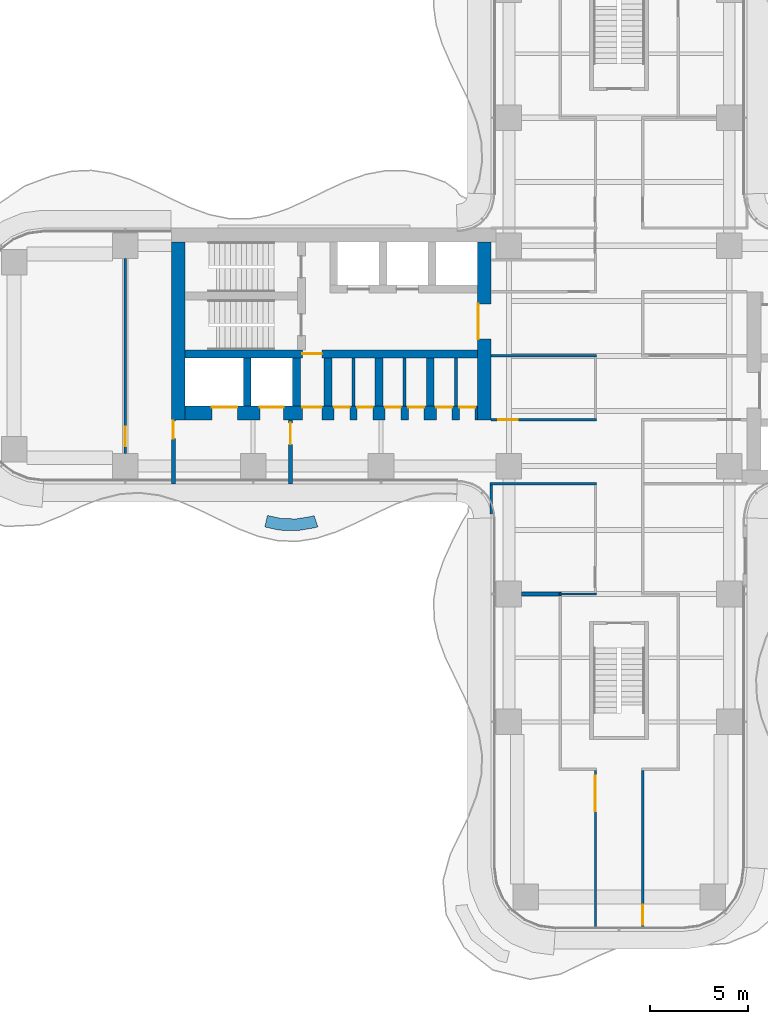
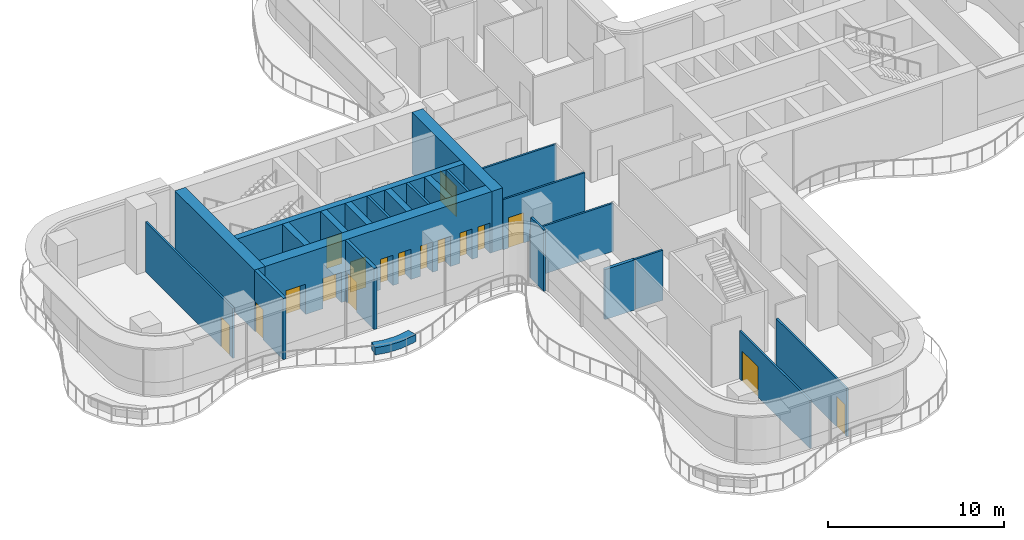
# One storey, part 18 of 23: 24 walls, 17 doors, 17 openings.
"""IFC4 building model written with IfcOpenShell, lengths in metres."""

from ifc_helpers import new_model, si_unit, direction, frame, frame_2d, origin, place, context, subcontext, project, spatial, polyline, rectangle, outline, extrude, source, transform, mapped, material, layer, layer_set, type_object, element, fill, save


model = new_model("IFC4")

# Units and contexts
model_context = context("Model", 3, precision=1e-05, world=origin(), true_north=direction((0.0, 1.0)))
body_context = subcontext(model_context, "Body", "Model", "MODEL_VIEW")
ifc_project = project(units=[si_unit("LENGTHUNIT", "METRE"), si_unit("AREAUNIT", "SQUARE_METRE"), si_unit("VOLUMEUNIT", "CUBIC_METRE"), si_unit("PLANEANGLEUNIT", "RADIAN"), si_unit("MASSUNIT", "GRAM", prefix="KILO")], contexts=[model_context])

# Site, building, storey
site_placement = place(None, origin())
site = spatial("IfcSite", under=ifc_project, at=site_placement, CompositionType="ELEMENT")
building_placement = place(site_placement, origin())
building = spatial("IfcBuilding", under=site, at=building_placement, Name="Trellis Farm Tower", CompositionType="ELEMENT")
storey_placement = place(building_placement, frame((0.0, 0.0, 111.0)))
storey = spatial("IfcBuildingStorey", under=building, at=storey_placement, Name="L23", CompositionType="ELEMENT", Elevation=111.0)

# Wall
ifc_material_1 = material(Name="Sandstone faced masonry planter", Category="masonry")
ifc_layer_1 = layer(ifc_material_1, 0.60009765625)
ifc_layer_set_1 = layer_set([ifc_layer_1], Name="PLANTER BED 600")
wall_type_1 = type_object("IfcWallType", Name="PLANTER BED 600", PredefinedType="USERDEFINED", material=ifc_layer_set_1)
wall_1_placement = place(storey_placement, origin())
element("IfcWall", 1, at=wall_1_placement, inside=storey, type_object=wall_type_1, Name="PLANTER bed", ObjectType="PLANTER", PredefinedType="USERDEFINED", context=body_context, shape_type="SweptSolid", body=[
    extrude(outline(polyline([(-16.373291015625, -8.885498046875), (-17.268310546875, -8.856689453125), (-18.005126953125, -8.69287109375), (-17.875, -8.107177734375), (-17.19287109375, -8.2587890625), (-16.412109375, -8.283935546875), (-15.616455078125, -8.15478515625), (-15.4970703125, -8.115234375), (-15.30859375, -8.684814453125), (-15.473388671875, -8.7392578125), (-16.373291015625, -8.885498046875)])), origin(), (0.0, 0.0, 1.0), 0.5),
])

# Wall, opening, door
ifc_material_2 = material(Name="Concrete C70/85", Category="concrete")
ifc_layer_2 = layer(ifc_material_2, 0.699951171875)
ifc_layer_set_2 = layer_set([ifc_layer_2], Name="CORE OUTER WALL 700 CONCRETE C70/85")
wall_type_2 = type_object("IfcWallType", Name="CORE OUTER WALL 700 CONCRETE C70/85", PredefinedType="SHEAR", material=ifc_layer_set_2)
shared_shape_1 = source(origin(), body_context, "Body", "SweptSolid", [
    extrude(rectangle(XDim=9.050048828125, YDim=0.699951171875, at=frame_2d((4.52490234375, 0.0))), origin(), (0.0, 0.0, 1.0), 4.25),
])
wall_2_placement = place(storey_placement, frame((-6.85009765625, 5.800048828125, 0.0), z_axis=(0.0, 0.0, 1.0), x_axis=(0.0, -1.0, 0.0)))
wall_2 = element("IfcWall", 2, at=wall_2_placement, inside=storey, type_object=wall_type_2, Name="Core wall", PredefinedType="SHEAR", context=body_context, shape_type="MappedRepresentation", body=[
    mapped(shared_shape_1, transform((0.0, 0.0, 0.0))),
])
shared_shape_2 = source(origin(), body_context, "Body", "SweptSolid", [
    extrude(rectangle(XDim=1.800048828125, YDim=2.10009765625, at=frame_2d((0.89990234375, 1.050048828125))), frame((0.0, 0.360107421875, 0.0), z_axis=(0.0, -1.0, 0.0), x_axis=(1.0, 0.0, 0.0)), (0.0, 0.0, 1.0), 0.72021484375),
])
opening_1_placement = place(wall_2_placement, frame((3.14990234375, 0.0, 0.0)))
opening_1 = element("IfcOpeningElement", 3, at=opening_1_placement, cuts=wall_2, Name="Opening DC87", PredefinedType="OPENING", context=body_context, shape_type="MappedRepresentation", body=[
    mapped(shared_shape_2, transform((0.0, 0.0, 0.0))),
])
ifc_material_3 = material(Name="Steel", Category="steel")
door_type_1 = type_object("IfcDoorType", Name="CORE FIRE DOOR DOUBLE 1800 X 2100", OperationType="DOUBLE_DOOR_SINGLE_SWING", PredefinedType="DOOR", material=ifc_material_3)
shared_shape_3 = source(origin(), body_context, "Body", "SweptSolid", [
    extrude(rectangle(XDim=1.800048828125, YDim=2.10009765625, at=frame_2d((0.89990234375, 1.050048828125))), frame((0.0, -0.27490234375, 0.0), z_axis=(0.0, -1.0, 0.0), x_axis=(1.0, 0.0, 0.0)), (0.0, 0.0, 1.0), 0.050048828125),
])
door_1_placement = place(opening_1_placement, origin())
door_1 = element("IfcDoor", 4, at=door_1_placement, inside=storey, type_object=door_type_1, Name="Core door", OperationType="DOUBLE_DOOR_SINGLE_SWING", OverallHeight=2.10009765625, OverallWidth=1.800048828125, PredefinedType="DOOR", context=body_context, shape_type="MappedRepresentation", body=[
    mapped(shared_shape_3, transform((0.0, 0.0, 0.0))),
])
fill(opening_1, door_1)

# Walls
wall_3_placement = place(storey_placement, frame((-22.39990234375, 5.800048828125, 0.0), z_axis=(0.0, 0.0, 1.0), x_axis=(0.0, -1.0, 0.0)))
element("IfcWall", 5, at=wall_3_placement, inside=storey, type_object=wall_type_2, Name="Core wall", PredefinedType="SHEAR", context=body_context, shape_type="MappedRepresentation", body=[
    mapped(shared_shape_1, transform((0.0, 0.0, 0.0))),
])
ifc_layer_3 = layer(ifc_material_2, 0.39990234375)
ifc_layer_set_3 = layer_set([ifc_layer_3], Name="CORE INNER WALL 400 CONCRETE C70/85")
wall_type_3 = type_object("IfcWallType", Name="CORE INNER WALL 400 CONCRETE C70/85", PredefinedType="SHEAR", material=ifc_layer_set_3)
shared_shape_4 = source(origin(), body_context, "Body", "SweptSolid", [
    extrude(rectangle(XDim=2.449951171875, YDim=0.39990234375, at=frame_2d((1.22509765625, 0.0))), origin(), (0.0, 0.0, 1.0), 4.25),
])
for number, where, z_axis, x_axis, name in (
    (6, (-9.60009765625, -0.10009765625, 0.0), (0.0, 0.0, 1.0), (0.0, -1.0, 0.0), "Core wall"),
    (7, (-12.199951171875, -0.10009765625, 0.0), (0.0, 0.0, 1.0), (0.0, -1.0, 0.0), "Core wall"),
    (8, (-14.800048828125, -0.10009765625, 0.0), (0.0, 0.0, 1.0), (0.0, -1.0, 0.0), "Core wall"),
    (9, (-16.39990234375, -0.10009765625, 0.0), (0.0, 0.0, 1.0), (0.0, -1.0, 0.0), "Core wall"),
    (10, (-18.89990234375, -0.10009765625, 0.0), (0.0, 0.0, 1.0), (0.0, -1.0, 0.0), "Core wall"),
):
    element("IfcWall", number, at=place(storey_placement, frame(where, z_axis=z_axis, x_axis=x_axis)), inside=storey, type_object=wall_type_3, Name=name, PredefinedType="SHEAR", context=body_context, shape_type="MappedRepresentation", body=[
        mapped(shared_shape_4, transform((0.0, 0.0, 0.0))),
    ])

# Wall, opening, door
ifc_material_4 = material(Name="Masonry blockwork", Category="masonry")
ifc_layer_4 = layer(ifc_material_4, 0.199951171875)
ifc_layer_set_4 = layer_set([ifc_layer_4], Name="FIRE LOBBY PARTITION 200 BLOCKWORK")
wall_type_4 = type_object("IfcWallType", Name="FIRE LOBBY PARTITION 200 BLOCKWORK", PredefinedType="PARTITIONING", material=ifc_layer_set_4)
shared_shape_5 = source(origin(), body_context, "Body", "SweptSolid", [
    extrude(rectangle(XDim=3.25, YDim=0.199951171875, at=frame_2d((1.625, 0.0))), origin(), (0.0, 0.0, 1.0), 4.25),
])
wall_4_placement = place(storey_placement, frame((-16.699951171875, -3.25, 0.0), z_axis=(0.0, 0.0, 1.0), x_axis=(0.0, -1.0, 0.0)))
wall_4 = element("IfcWall", 11, at=wall_4_placement, inside=storey, type_object=wall_type_4, Name="Fire-fighting lobby partition", PredefinedType="PARTITIONING", context=body_context, shape_type="MappedRepresentation", body=[
    mapped(shared_shape_5, transform((0.0, 0.0, 0.0))),
])
shared_shape_6 = source(origin(), body_context, "Body", "SweptSolid", [
    extrude(rectangle(XDim=1.10009765625, YDim=2.10009765625, at=frame_2d((0.550048828125, 1.050048828125))), frame((0.0, 0.110107421875, 0.0), z_axis=(0.0, -1.0, 0.0), x_axis=(1.0, 0.0, 0.0)), (0.0, 0.0, 1.0), 0.22021484375),
])
opening_2_placement = place(wall_4_placement, frame((0.14990234375, 0.0, 0.0)))
opening_2 = element("IfcOpeningElement", 12, at=opening_2_placement, cuts=wall_4, Name="Opening DC93", PredefinedType="OPENING", context=body_context, shape_type="MappedRepresentation", body=[
    mapped(shared_shape_6, transform((0.0, 0.0, 0.0))),
])
door_type_2 = type_object("IfcDoorType", Name="CORE FIRE DOOR 1100 X 2100", OperationType="NOTDEFINED", PredefinedType="DOOR", material=ifc_material_3)
shared_shape_7 = source(origin(), body_context, "Body", "SweptSolid", [
    extrude(rectangle(XDim=1.10009765625, YDim=2.10009765625, at=frame_2d((0.550048828125, 1.050048828125))), frame((0.0, 0.02490234375, 0.0), z_axis=(0.0, -1.0, 0.0), x_axis=(1.0, 0.0, 0.0)), (0.0, 0.0, 1.0), 0.050048828125),
])
door_2_placement = place(opening_2_placement, origin())
door_2 = element("IfcDoor", 13, at=door_2_placement, inside=storey, type_object=door_type_2, Name="Core door", OperationType="SINGLE_SWING_RIGHT", OverallHeight=2.10009765625, OverallWidth=1.10009765625, PredefinedType="DOOR", context=body_context, shape_type="MappedRepresentation", body=[
    mapped(shared_shape_7, transform((0.0, 0.0, 0.0))),
])
fill(opening_2, door_2)

wall_5_placement = place(storey_placement, frame((-22.64990234375, -3.25, 0.0), z_axis=(0.0, 0.0, 1.0), x_axis=(0.0, -1.0, 0.0)))
wall_5 = element("IfcWall", 14, at=wall_5_placement, inside=storey, type_object=wall_type_4, Name="Fire-fighting lobby partition", PredefinedType="PARTITIONING", context=body_context, shape_type="MappedRepresentation", body=[
    mapped(shared_shape_5, transform((0.0, 0.0, 0.0))),
])
shared_shape_8 = source(origin(), body_context, "Body", "SweptSolid", [
    extrude(rectangle(XDim=0.89990234375, YDim=2.10009765625, at=frame_2d((0.449951171875, 1.050048828125))), frame((0.0, 0.110107421875, 0.0), z_axis=(0.0, -1.0, 0.0), x_axis=(1.0, 0.0, 0.0)), (0.0, 0.0, 1.0), 0.22021484375),
])
opening_3_placement = place(wall_5_placement, frame((0.050048828125, 0.0, 0.0)))
opening_3 = element("IfcOpeningElement", 15, at=opening_3_placement, cuts=wall_5, Name="Opening DC94", PredefinedType="OPENING", context=body_context, shape_type="MappedRepresentation", body=[
    mapped(shared_shape_8, transform((0.0, 0.0, 0.0))),
])
door_type_3 = type_object("IfcDoorType", Name="CORE FIRE DOOR 900 X 2100", OperationType="NOTDEFINED", PredefinedType="DOOR", material=ifc_material_3)
shared_shape_9 = source(origin(), body_context, "Body", "SweptSolid", [
    extrude(rectangle(XDim=0.89990234375, YDim=2.10009765625, at=frame_2d((0.449951171875, 1.050048828125))), frame((0.0, 0.02490234375, 0.0), z_axis=(0.0, -1.0, 0.0), x_axis=(1.0, 0.0, 0.0)), (0.0, 0.0, 1.0), 0.050048828125),
])
door_3_placement = place(opening_3_placement, origin())
door_3 = element("IfcDoor", 16, at=door_3_placement, inside=storey, type_object=door_type_3, Name="Core door", OperationType="SINGLE_SWING_RIGHT", OverallHeight=2.10009765625, OverallWidth=0.89990234375, PredefinedType="DOOR", context=body_context, shape_type="MappedRepresentation", body=[
    mapped(shared_shape_9, transform((0.0, 0.0, 0.0))),
])
fill(opening_3, door_3)

# Wall, openings, doors
shared_shape_10 = source(origin(), body_context, "Body", "SweptSolid", [
    extrude(rectangle(XDim=14.85009765625, YDim=0.699951171875, at=frame_2d((7.425048828125, 0.0))), origin(), (0.0, 0.0, 1.0), 4.25),
])
wall_6_placement = place(storey_placement, frame((-7.199951171875, -2.89990234375, 0.0), z_axis=(0.0, 0.0, 1.0), x_axis=(-1.0, 0.0, 0.0)))
wall_6 = element("IfcWall", 17, at=wall_6_placement, inside=storey, type_object=wall_type_2, Name="Core wall", PredefinedType="SHEAR", context=body_context, shape_type="MappedRepresentation", body=[
    mapped(shared_shape_10, transform((0.0, 0.0, 0.0))),
])
shared_shape_11 = source(origin(), body_context, "Body", "SweptSolid", [
    extrude(rectangle(XDim=1.300048828125, YDim=2.10009765625, at=frame_2d((0.64990234375, 1.050048828125))), frame((0.0, 0.360107421875, 0.0), z_axis=(0.0, -1.0, 0.0), x_axis=(1.0, 0.0, 0.0)), (0.0, 0.0, 1.0), 0.72021484375),
])
opening_4_placement = place(wall_6_placement, frame((12.199951171875, 0.0, 0.0)))
opening_4 = element("IfcOpeningElement", 18, at=opening_4_placement, cuts=wall_6, Name="Opening LD15", PredefinedType="OPENING", context=body_context, shape_type="MappedRepresentation", body=[
    mapped(shared_shape_11, transform((0.0, 0.0, 0.0))),
])
shared_shape_12 = source(origin(), body_context, "Body", "SweptSolid", [
    extrude(rectangle(XDim=1.199951171875, YDim=2.10009765625, at=frame_2d((0.60009765625, 1.050048828125))), frame((0.0, 0.360107421875, 0.0), z_axis=(0.0, -1.0, 0.0), x_axis=(1.0, 0.0, 0.0)), (0.0, 0.0, 1.0), 0.72021484375),
])
opening_5_placement = place(wall_6_placement, frame((9.85009765625, 0.0, 0.0)))
opening_5 = element("IfcOpeningElement", 19, at=opening_5_placement, cuts=wall_6, Name="Opening LD16", PredefinedType="OPENING", context=body_context, shape_type="MappedRepresentation", body=[
    mapped(shared_shape_12, transform((0.0, 0.0, 0.0))),
])
shared_shape_13 = source(origin(), body_context, "Body", "SweptSolid", [
    extrude(rectangle(XDim=1.0, YDim=2.10009765625, at=frame_2d((0.5, 1.050048828125))), frame((0.0, 0.360107421875, 0.0), z_axis=(0.0, -1.0, 0.0), x_axis=(1.0, 0.0, 0.0)), (0.0, 0.0, 1.0), 0.72021484375),
])
opening_6_placement = place(wall_6_placement, frame((7.89990234375, 0.0, 0.0)))
opening_6 = element("IfcOpeningElement", 20, at=opening_6_placement, cuts=wall_6, Name="Opening DC92", PredefinedType="OPENING", context=body_context, shape_type="MappedRepresentation", body=[
    mapped(shared_shape_13, transform((0.0, 0.0, 0.0))),
])
shared_shape_14 = source(origin(), body_context, "Body", "SweptSolid", [
    extrude(rectangle(XDim=0.800048828125, YDim=2.10009765625, at=frame_2d((0.39990234375, 1.050048828125))), frame((0.0, 0.360107421875, 0.0), z_axis=(0.0, -1.0, 0.0), x_axis=(1.0, 0.0, 0.0)), (0.0, 0.0, 1.0), 0.72021484375),
])
opening_7_placement = place(wall_6_placement, frame((0.112548828125, 0.0, 0.0)))
opening_7 = element("IfcOpeningElement", 21, at=opening_7_placement, cuts=wall_6, Name="Opening DC95", PredefinedType="OPENING", context=body_context, shape_type="MappedRepresentation", body=[
    mapped(shared_shape_14, transform((0.0, 0.0, 0.0))),
])
opening_8_placement = place(wall_6_placement, frame((1.28759765625, 0.0, 0.0)))
opening_8 = element("IfcOpeningElement", 22, at=opening_8_placement, cuts=wall_6, Name="Opening DC102", PredefinedType="OPENING", context=body_context, shape_type="MappedRepresentation", body=[
    mapped(shared_shape_14, transform((0.0, 0.0, 0.0))),
])
opening_9_placement = place(wall_6_placement, frame((2.71240234375, 0.0, 0.0)))
opening_9 = element("IfcOpeningElement", 23, at=opening_9_placement, cuts=wall_6, Name="Opening DC107", PredefinedType="OPENING", context=body_context, shape_type="MappedRepresentation", body=[
    mapped(shared_shape_14, transform((0.0, 0.0, 0.0))),
])
opening_10_placement = place(wall_6_placement, frame((3.887451171875, 0.0, 0.0)))
opening_10 = element("IfcOpeningElement", 24, at=opening_10_placement, cuts=wall_6, Name="Opening DC114", PredefinedType="OPENING", context=body_context, shape_type="MappedRepresentation", body=[
    mapped(shared_shape_14, transform((0.0, 0.0, 0.0))),
])
opening_11_placement = place(wall_6_placement, frame((5.3125, 0.0, 0.0)))
opening_11 = element("IfcOpeningElement", 25, at=opening_11_placement, cuts=wall_6, Name="Opening DC119", PredefinedType="OPENING", context=body_context, shape_type="MappedRepresentation", body=[
    mapped(shared_shape_14, transform((0.0, 0.0, 0.0))),
])
opening_12_placement = place(wall_6_placement, frame((6.487548828125, 0.0, 0.0)))
opening_12 = element("IfcOpeningElement", 26, at=opening_12_placement, cuts=wall_6, Name="Opening DC126", PredefinedType="OPENING", context=body_context, shape_type="MappedRepresentation", body=[
    mapped(shared_shape_14, transform((0.0, 0.0, 0.0))),
])
door_type_4 = type_object("IfcDoorType", Name="CORE FIRE DOOR 1000 X 2100", OperationType="NOTDEFINED", PredefinedType="DOOR", material=ifc_material_3)
shared_shape_15 = source(origin(), body_context, "Body", "SweptSolid", [
    extrude(rectangle(XDim=1.0, YDim=2.10009765625, at=frame_2d((0.5, 1.050048828125))), frame((0.0, -0.27490234375, 0.0), z_axis=(0.0, -1.0, 0.0), x_axis=(1.0, 0.0, 0.0)), (0.0, 0.0, 1.0), 0.050048828125),
])
door_4_placement = place(opening_6_placement, origin())
door_4 = element("IfcDoor", 27, at=door_4_placement, inside=storey, type_object=door_type_4, Name="Core door", OperationType="SINGLE_SWING_LEFT", OverallHeight=2.10009765625, OverallWidth=1.0, PredefinedType="DOOR", context=body_context, shape_type="MappedRepresentation", body=[
    mapped(shared_shape_15, transform((0.0, 0.0, 0.0))),
])
fill(opening_6, door_4)
ifc_material_5 = material(Name="Stainless steel", Category="steel")
door_type_5 = type_object("IfcDoorType", Name="LIFT LANDING DOOR 1300 X 2100", OperationType="DOUBLE_DOOR_SLIDING", PredefinedType="DOOR", material=ifc_material_5)
shared_shape_16 = source(origin(), body_context, "Body", "SweptSolid", [
    extrude(rectangle(XDim=1.300048828125, YDim=2.10009765625, at=frame_2d((0.64990234375, 1.050048828125))), frame((0.0, -0.27490234375, 0.0), z_axis=(0.0, -1.0, 0.0), x_axis=(1.0, 0.0, 0.0)), (0.0, 0.0, 1.0), 0.050048828125),
])
door_5_placement = place(opening_4_placement, origin())
door_5 = element("IfcDoor", 28, at=door_5_placement, inside=storey, type_object=door_type_5, Name="Lift landing door", OperationType="DOUBLE_DOOR_SLIDING", OverallHeight=2.10009765625, OverallWidth=1.300048828125, PredefinedType="DOOR", context=body_context, shape_type="MappedRepresentation", body=[
    mapped(shared_shape_16, transform((0.0, 0.0, 0.0))),
])
fill(opening_4, door_5)
door_type_6 = type_object("IfcDoorType", Name="LIFT LANDING DOOR 1200 X 2100", OperationType="DOUBLE_DOOR_SLIDING", PredefinedType="DOOR", material=ifc_material_5)
shared_shape_17 = source(origin(), body_context, "Body", "SweptSolid", [
    extrude(rectangle(XDim=1.199951171875, YDim=2.10009765625, at=frame_2d((0.60009765625, 1.050048828125))), frame((0.0, -0.27490234375, 0.0), z_axis=(0.0, -1.0, 0.0), x_axis=(1.0, 0.0, 0.0)), (0.0, 0.0, 1.0), 0.050048828125),
])
door_6_placement = place(opening_5_placement, origin())
door_6 = element("IfcDoor", 29, at=door_6_placement, inside=storey, type_object=door_type_6, Name="Lift landing door", OperationType="DOUBLE_DOOR_SLIDING", OverallHeight=2.10009765625, OverallWidth=1.199951171875, PredefinedType="DOOR", context=body_context, shape_type="MappedRepresentation", body=[
    mapped(shared_shape_17, transform((0.0, 0.0, 0.0))),
])
fill(opening_5, door_6)
door_type_7 = type_object("IfcDoorType", Name="CORE FIRE DOOR 800 X 2100", OperationType="NOTDEFINED", PredefinedType="DOOR", material=ifc_material_3)
shared_shape_18 = source(origin(), body_context, "Body", "SweptSolid", [
    extrude(rectangle(XDim=0.800048828125, YDim=2.10009765625, at=frame_2d((0.39990234375, 1.050048828125))), frame((0.0, -0.27490234375, 0.0), z_axis=(0.0, -1.0, 0.0), x_axis=(1.0, 0.0, 0.0)), (0.0, 0.0, 1.0), 0.050048828125),
])
door_7_placement = place(opening_7_placement, origin())
door_7 = element("IfcDoor", 30, at=door_7_placement, inside=storey, type_object=door_type_7, Name="Core door", OperationType="SINGLE_SWING_LEFT", OverallHeight=2.10009765625, OverallWidth=0.800048828125, PredefinedType="DOOR", context=body_context, shape_type="MappedRepresentation", body=[
    mapped(shared_shape_18, transform((0.0, 0.0, 0.0))),
])
fill(opening_7, door_7)
door_8_placement = place(opening_8_placement, origin())
door_8 = element("IfcDoor", 31, at=door_8_placement, inside=storey, type_object=door_type_7, Name="Core door", OperationType="SINGLE_SWING_RIGHT", OverallHeight=2.10009765625, OverallWidth=0.800048828125, PredefinedType="DOOR", context=body_context, shape_type="MappedRepresentation", body=[
    mapped(shared_shape_18, transform((0.0, 0.0, 0.0))),
])
fill(opening_8, door_8)
door_9_placement = place(opening_9_placement, origin())
door_9 = element("IfcDoor", 32, at=door_9_placement, inside=storey, type_object=door_type_7, Name="Core door", OperationType="SINGLE_SWING_LEFT", OverallHeight=2.10009765625, OverallWidth=0.800048828125, PredefinedType="DOOR", context=body_context, shape_type="MappedRepresentation", body=[
    mapped(shared_shape_18, transform((0.0, 0.0, 0.0))),
])
fill(opening_9, door_9)
door_10_placement = place(opening_10_placement, origin())
door_10 = element("IfcDoor", 33, at=door_10_placement, inside=storey, type_object=door_type_7, Name="Core door", OperationType="SINGLE_SWING_RIGHT", OverallHeight=2.10009765625, OverallWidth=0.800048828125, PredefinedType="DOOR", context=body_context, shape_type="MappedRepresentation", body=[
    mapped(shared_shape_18, transform((0.0, 0.0, 0.0))),
])
fill(opening_10, door_10)
door_11_placement = place(opening_11_placement, origin())
door_11 = element("IfcDoor", 34, at=door_11_placement, inside=storey, type_object=door_type_7, Name="Core door", OperationType="SINGLE_SWING_LEFT", OverallHeight=2.10009765625, OverallWidth=0.800048828125, PredefinedType="DOOR", context=body_context, shape_type="MappedRepresentation", body=[
    mapped(shared_shape_18, transform((0.0, 0.0, 0.0))),
])
fill(opening_11, door_11)
door_12_placement = place(opening_12_placement, origin())
door_12 = element("IfcDoor", 35, at=door_12_placement, inside=storey, type_object=door_type_7, Name="Core door", OperationType="SINGLE_SWING_RIGHT", OverallHeight=2.10009765625, OverallWidth=0.800048828125, PredefinedType="DOOR", context=body_context, shape_type="MappedRepresentation", body=[
    mapped(shared_shape_18, transform((0.0, 0.0, 0.0))),
])
fill(opening_12, door_12)

# Wall, opening, door
shared_shape_19 = source(origin(), body_context, "Body", "SweptSolid", [
    extrude(rectangle(XDim=14.85009765625, YDim=0.39990234375, at=frame_2d((7.425048828125, 0.0))), origin(), (0.0, 0.0, 1.0), 4.25),
])
wall_7_placement = place(storey_placement, frame((-7.199951171875, 0.10009765625, 0.0), z_axis=(0.0, 0.0, 1.0), x_axis=(-1.0, 0.0, 0.0)))
wall_7 = element("IfcWall", 36, at=wall_7_placement, inside=storey, type_object=wall_type_3, Name="Core wall", PredefinedType="SHEAR", context=body_context, shape_type="MappedRepresentation", body=[
    mapped(shared_shape_19, transform((0.0, 0.0, 0.0))),
])
shared_shape_20 = source(origin(), body_context, "Body", "SweptSolid", [
    extrude(rectangle(XDim=1.0, YDim=2.10009765625, at=frame_2d((0.5, 1.050048828125))), frame((0.0, 0.2099609375, 0.0), z_axis=(0.0, -1.0, 0.0), x_axis=(1.0, 0.0, 0.0)), (0.0, 0.0, 1.0), 0.419921875),
])
opening_13_placement = place(wall_7_placement, frame((7.89990234375, 0.0, 0.0)))
opening_13 = element("IfcOpeningElement", 37, at=opening_13_placement, cuts=wall_7, Name="Opening DC91", PredefinedType="OPENING", context=body_context, shape_type="MappedRepresentation", body=[
    mapped(shared_shape_20, transform((0.0, 0.0, 0.0))),
])
shared_shape_21 = source(origin(), body_context, "Body", "SweptSolid", [
    extrude(rectangle(XDim=1.0, YDim=2.10009765625, at=frame_2d((0.5, 1.050048828125))), frame((0.0, 0.02490234375, 0.0), z_axis=(0.0, -1.0, 0.0), x_axis=(1.0, 0.0, 0.0)), (0.0, 0.0, 1.0), 0.050048828125),
])
door_13_placement = place(opening_13_placement, origin())
door_13 = element("IfcDoor", 38, at=door_13_placement, inside=storey, type_object=door_type_4, Name="Core door", OperationType="SINGLE_SWING_RIGHT", OverallHeight=2.10009765625, OverallWidth=1.0, PredefinedType="DOOR", context=body_context, shape_type="MappedRepresentation", body=[
    mapped(shared_shape_21, transform((0.0, 0.0, 0.0))),
])
fill(opening_13, door_13)

# Walls
ifc_layer_5 = layer(ifc_material_4, 0.14990234375)
ifc_layer_set_5 = layer_set([ifc_layer_5], Name="CORE PARTITION 150 BLOCKWORK")
wall_type_5 = type_object("IfcWallType", Name="CORE PARTITION 150 BLOCKWORK", PredefinedType="PARTITIONING", material=ifc_layer_set_5)
shared_shape_22 = source(origin(), body_context, "Body", "SweptSolid", [
    extrude(rectangle(XDim=2.449951171875, YDim=0.14990234375, at=frame_2d((1.22509765625, 0.0))), origin(), (0.0, 0.0, 1.0), 4.25),
])
for number, where, z_axis, x_axis, name in (
    (39, (-8.300048828125, -0.10009765625, 0.0), (0.0, 0.0, 1.0), (0.0, -1.0, 0.0), "Core room partition"),
    (40, (-10.89990234375, -0.10009765625, 0.0), (0.0, 0.0, 1.0), (0.0, -1.0, 0.0), "Core room partition"),
    (41, (-13.5, -0.10009765625, 0.0), (0.0, 0.0, 1.0), (0.0, -1.0, 0.0), "Core room partition"),
):
    element("IfcWall", number, at=place(storey_placement, frame(where, z_axis=z_axis, x_axis=x_axis)), inside=storey, type_object=wall_type_5, Name=name, PredefinedType="PARTITIONING", context=body_context, shape_type="MappedRepresentation", body=[
        mapped(shared_shape_22, transform((0.0, 0.0, 0.0))),
    ])
ifc_material_6 = material(Name="Plasterboard on steel studs, mineral wool", Category="steel")
ifc_layer_6 = layer(ifc_material_6, 0.125)
ifc_layer_set_6 = layer_set([ifc_layer_6], Name="PARTITION 125 STUD EI 60")
wall_type_6 = type_object("IfcWallType", Name="PARTITION 125 STUD EI 60", PredefinedType="PARTITIONING", material=ifc_layer_set_6)
shared_shape_23 = source(origin(), body_context, "Body", "SweptSolid", [
    extrude(rectangle(XDim=1.468994140625, YDim=0.125, at=frame_2d((0.734375, 0.0))), origin(), (0.0, 0.0, 1.0), 4.25),
])
wall_8_placement = place(storey_placement, frame((-6.5, -6.5625, 0.0), z_axis=(0.0, 0.0, 1.0), x_axis=(0.0, -1.0, 0.0)))
element("IfcWall", 42, at=wall_8_placement, inside=storey, type_object=wall_type_6, Name="Partition PW1", PredefinedType="PARTITIONING", context=body_context, shape_type="MappedRepresentation", body=[
    mapped(shared_shape_23, transform((0.0, 0.0, 0.0))),
])
shared_shape_24 = source(origin(), body_context, "Body", "SweptSolid", [
    extrude(rectangle(XDim=1.925048828125, YDim=0.125, at=frame_2d((0.96240234375, 0.0))), origin(), (0.0, 0.0, 1.0), 3.4677734375),
])
wall_9_placement = place(storey_placement, frame((-3.0625, -12.10009765625, 0.0), z_axis=(0.0, 0.0, 1.0), x_axis=(1.0, 0.0, 0.0)))
element("IfcWall", 43, at=wall_9_placement, inside=storey, type_object=wall_type_6, Name="Partition PW1", PredefinedType="PARTITIONING", context=body_context, shape_type="MappedRepresentation", body=[
    mapped(shared_shape_24, transform((0.0, 0.0, 0.0))),
])

# Wall, opening, door
shared_shape_25 = source(origin(), body_context, "Body", "SweptSolid", [
    extrude(rectangle(XDim=5.362548828125, YDim=0.125, at=frame_2d((2.68115234375, 0.0))), origin(), (0.0, 0.0, 1.0), 3.4677734375),
])
wall_10_placement = place(storey_placement, frame((-1.137451171875, -3.25, 0.0), z_axis=(0.0, 0.0, 1.0), x_axis=(-1.0, 0.0, 0.0)))
wall_10 = element("IfcWall", 44, at=wall_10_placement, inside=storey, type_object=wall_type_6, Name="Partition PW1", PredefinedType="PARTITIONING", context=body_context, shape_type="MappedRepresentation", body=[
    mapped(shared_shape_25, transform((0.0, 0.0, 0.0))),
])
shared_shape_26 = source(origin(), body_context, "Body", "SweptSolid", [
    extrude(rectangle(XDim=1.0, YDim=2.10009765625, at=frame_2d((0.5, 1.050048828125))), frame((0.0, 0.072509765625, 0.0), z_axis=(0.0, -1.0, 0.0), x_axis=(1.0, 0.0, 0.0)), (0.0, 0.0, 1.0), 0.14501953125),
])
opening_14_placement = place(wall_10_placement, frame((4.012451171875, 0.0, 0.0)))
opening_14 = element("IfcOpeningElement", 45, at=opening_14_placement, cuts=wall_10, Name="Opening D103", PredefinedType="OPENING", context=body_context, shape_type="MappedRepresentation", body=[
    mapped(shared_shape_26, transform((0.0, 0.0, 0.0))),
])
ifc_material_7 = material(Name="Fire-rated timber door leaf in a hollow metal frame", Category="wood")
door_type_8 = type_object("IfcDoorType", Name="DOOR 1000x2100 FD30S", OperationType="NOTDEFINED", PredefinedType="DOOR", material=ifc_material_7)
door_14_placement = place(opening_14_placement, origin())
door_14 = element("IfcDoor", 46, at=door_14_placement, inside=storey, type_object=door_type_8, Name="Door D103", OperationType="SINGLE_SWING_RIGHT", OverallHeight=2.10009765625, OverallWidth=1.0, PredefinedType="DOOR", context=body_context, shape_type="MappedRepresentation", body=[
    mapped(shared_shape_21, transform((0.0, 0.0, 0.0))),
])
fill(opening_14, door_14)

# Walls
wall_11_placement = place(storey_placement, frame((-1.137451171875, 0.0, 0.0), z_axis=(0.0, 0.0, 1.0), x_axis=(-1.0, 0.0, 0.0)))
element("IfcWall", 47, at=wall_11_placement, inside=storey, type_object=wall_type_6, Name="Partition PW1", PredefinedType="PARTITIONING", context=body_context, shape_type="MappedRepresentation", body=[
    mapped(shared_shape_25, transform((0.0, 0.0, 0.0))),
])
shared_shape_27 = source(origin(), body_context, "Body", "SweptSolid", [
    extrude(rectangle(XDim=5.425048828125, YDim=0.125, at=frame_2d((2.71240234375, 0.0))), origin(), (0.0, 0.0, 1.0), 3.330078125),
])
wall_12_placement = place(storey_placement, frame((-1.137451171875, -6.5, 0.0), z_axis=(0.0, 0.0, 1.0), x_axis=(-1.0, 0.0, 0.0)))
element("IfcWall", 48, at=wall_12_placement, inside=storey, type_object=wall_type_6, Name="Partition PW1", PredefinedType="PARTITIONING", context=body_context, shape_type="MappedRepresentation", body=[
    mapped(shared_shape_27, transform((0.0, 0.0, 0.0))),
])

# Wall, opening, door
shared_shape_28 = source(origin(), body_context, "Body", "SweptSolid", [
    extrude(rectangle(XDim=7.987548828125, YDim=0.125, at=frame_2d((3.99365234375, 0.0))), origin(), (0.0, 0.0, 1.0), 3.330078125),
])
wall_13_placement = place(storey_placement, frame((-1.199951171875, -21.0625, 0.0), z_axis=(0.0, 0.0, 1.0), x_axis=(0.0, -1.0, 0.0)))
wall_13 = element("IfcWall", 49, at=wall_13_placement, inside=storey, type_object=wall_type_6, Name="Partition PW1", PredefinedType="PARTITIONING", context=body_context, shape_type="MappedRepresentation", body=[
    mapped(shared_shape_28, transform((0.0, 0.0, 0.0))),
])
shared_shape_29 = source(origin(), body_context, "Body", "SweptSolid", [
    extrude(rectangle(XDim=1.800048828125, YDim=2.10009765625, at=frame_2d((0.89990234375, 1.050048828125))), frame((0.0, 0.072509765625, 0.0), z_axis=(0.0, -1.0, 0.0), x_axis=(1.0, 0.0, 0.0)), (0.0, 0.0, 1.0), 0.14501953125),
])
opening_15_placement = place(wall_13_placement, frame((0.28759765625, 0.0, 0.0)))
opening_15 = element("IfcOpeningElement", 50, at=opening_15_placement, cuts=wall_13, Name="Opening D201", PredefinedType="OPENING", context=body_context, shape_type="MappedRepresentation", body=[
    mapped(shared_shape_29, transform((0.0, 0.0, 0.0))),
])
door_type_9 = type_object("IfcDoorType", Name="DOOR PAIR 1800x2100 FD30S", OperationType="NOTDEFINED", PredefinedType="DOOR", material=ifc_material_7)
shared_shape_30 = source(origin(), body_context, "Body", "SweptSolid", [
    extrude(rectangle(XDim=1.800048828125, YDim=2.10009765625, at=frame_2d((0.89990234375, 1.050048828125))), frame((0.0, 0.02490234375, 0.0), z_axis=(0.0, -1.0, 0.0), x_axis=(1.0, 0.0, 0.0)), (0.0, 0.0, 1.0), 0.050048828125),
])
door_15_placement = place(opening_15_placement, origin())
door_15 = element("IfcDoor", 51, at=door_15_placement, inside=storey, type_object=door_type_9, Name="Door D201", OperationType="DOUBLE_DOOR_SINGLE_SWING", OverallHeight=2.10009765625, OverallWidth=1.800048828125, PredefinedType="DOOR", context=body_context, shape_type="MappedRepresentation", body=[
    mapped(shared_shape_30, transform((0.0, 0.0, 0.0))),
])
fill(opening_15, door_15)

wall_14_placement = place(storey_placement, frame((1.199951171875, -21.0625, 0.0), z_axis=(0.0, 0.0, 1.0), x_axis=(0.0, -1.0, 0.0)))
wall_14 = element("IfcWall", 52, at=wall_14_placement, inside=storey, type_object=wall_type_6, Name="Partition PW1", PredefinedType="PARTITIONING", context=body_context, shape_type="MappedRepresentation", body=[
    mapped(shared_shape_28, transform((0.0, 0.0, 0.0))),
])
opening_16_placement = place(wall_14_placement, frame((6.83740234375, 0.0, 0.0)))
opening_16 = element("IfcOpeningElement", 53, at=opening_16_placement, cuts=wall_14, Name="Opening D101", PredefinedType="OPENING", context=body_context, shape_type="MappedRepresentation", body=[
    mapped(shared_shape_26, transform((0.0, 0.0, 0.0))),
])
door_16_placement = place(opening_16_placement, origin())
door_16 = element("IfcDoor", 54, at=door_16_placement, inside=storey, type_object=door_type_8, Name="Door D101", OperationType="SINGLE_SWING_RIGHT", OverallHeight=2.10009765625, OverallWidth=1.0, PredefinedType="DOOR", context=body_context, shape_type="MappedRepresentation", body=[
    mapped(shared_shape_21, transform((0.0, 0.0, 0.0))),
])
fill(opening_16, door_16)

shared_shape_31 = source(origin(), body_context, "Body", "SweptSolid", [
    extrude(rectangle(XDim=9.89990234375, YDim=0.125, at=frame_2d((4.949951171875, 0.0))), origin(), (0.0, 0.0, 1.0), 3.4677734375),
])
wall_15_placement = place(storey_placement, frame((-25.10009765625, -4.949951171875, 0.0), z_axis=(0.0, 0.0, 1.0), x_axis=(0.0, 1.0, 0.0)))
wall_15 = element("IfcWall", 55, at=wall_15_placement, inside=storey, type_object=wall_type_6, Name="Partition PW1", PredefinedType="PARTITIONING", context=body_context, shape_type="MappedRepresentation", body=[
    mapped(shared_shape_31, transform((0.0, 0.0, 0.0))),
])
opening_17_placement = place(wall_15_placement, frame((0.35009765625, 0.0, 0.0)))
opening_17 = element("IfcOpeningElement", 56, at=opening_17_placement, cuts=wall_15, Name="Opening D102", PredefinedType="OPENING", context=body_context, shape_type="MappedRepresentation", body=[
    mapped(shared_shape_26, transform((0.0, 0.0, 0.0))),
])
door_17_placement = place(opening_17_placement, origin())
door_17 = element("IfcDoor", 57, at=door_17_placement, inside=storey, type_object=door_type_8, Name="Door D102", OperationType="SINGLE_SWING_LEFT", OverallHeight=2.10009765625, OverallWidth=1.0, PredefinedType="DOOR", context=body_context, shape_type="MappedRepresentation", body=[
    mapped(shared_shape_21, transform((0.0, 0.0, 0.0))),
])
fill(opening_17, door_17)

# Wall
ifc_material_8 = material(Name="Lightweight blockwork, plastered", Category="masonry")
ifc_layer_7 = layer(ifc_material_8, 0.199951171875)
ifc_layer_set_7 = layer_set([ifc_layer_7], Name="BLOCK WALL 200 EI 120")
wall_type_7 = type_object("IfcWallType", Name="BLOCK WALL 200 EI 120", PredefinedType="PARTITIONING", material=ifc_layer_set_7)
shared_shape_32 = source(origin(), body_context, "Body", "SweptSolid", [
    extrude(rectangle(XDim=2.012451171875, YDim=0.199951171875, at=frame_2d((1.00634765625, 0.0))), origin(), (0.0, 0.0, 1.0), 3.4677734375),
])
wall_16_placement = place(storey_placement, frame((-4.949951171875, -12.10009765625, 0.0), z_axis=(0.0, 0.0, 1.0), x_axis=(1.0, 0.0, 0.0)))
element("IfcWall", 58, at=wall_16_placement, inside=storey, type_object=wall_type_7, Name="Partition PW3", PredefinedType="PARTITIONING", context=body_context, shape_type="MappedRepresentation", body=[
    mapped(shared_shape_32, transform((0.0, 0.0, 0.0))),
])

save(model, "model.ifc")
